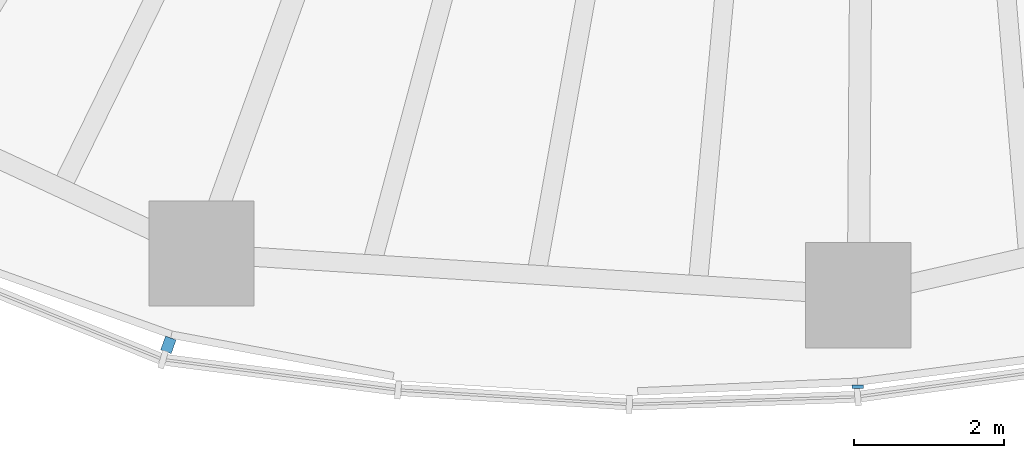
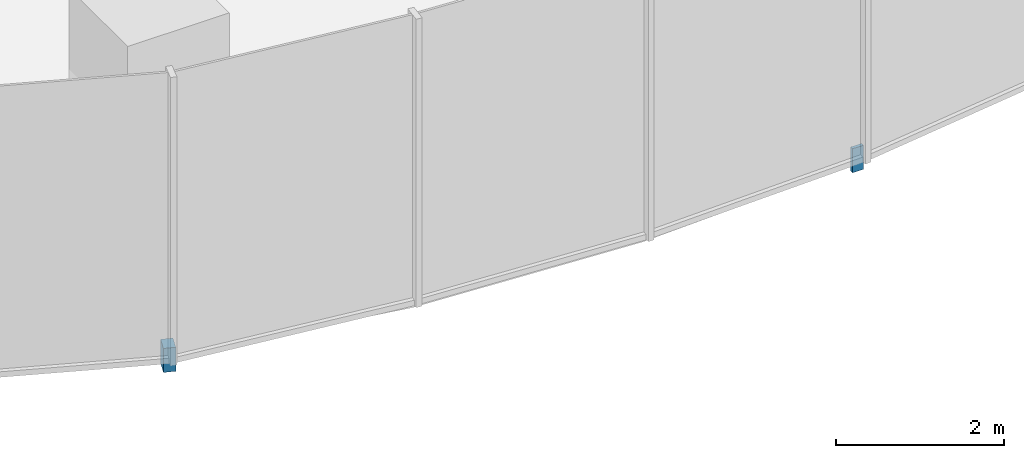
# One storey, part 12 of 18: 2 discrete accessories.
"""IFC4 building model written with IfcOpenShell, lengths in metres."""

from ifc_helpers import new_model, si_unit, direction, frame, origin, origin_2d, place, context, subcontext, project, spatial, rectangle, extrude, material, type_object, element, save


model = new_model("IFC4")

# Units and contexts
model_context = context("Model", 3, precision=1e-05, world=origin(), true_north=direction((0.0, 1.0)))
body_context = subcontext(model_context, "Body", "Model", "MODEL_VIEW")
ifc_project = project(units=[si_unit("LENGTHUNIT", "METRE"), si_unit("AREAUNIT", "SQUARE_METRE"), si_unit("VOLUMEUNIT", "CUBIC_METRE"), si_unit("PLANEANGLEUNIT", "RADIAN"), si_unit("MASSUNIT", "GRAM", prefix="KILO")], contexts=[model_context])

# Site, building, storey
site_placement = place(None, origin())
site = spatial("IfcSite", under=ifc_project, at=site_placement, CompositionType="ELEMENT")
building_placement = place(site_placement, origin())
building = spatial("IfcBuilding", under=site, at=building_placement, Name="Ghaith Harvest Tower", CompositionType="ELEMENT")
storey_placement = place(building_placement, frame((0.0, 0.0, 180.60009765625)))
storey = spatial("IfcBuildingStorey", under=building, at=storey_placement, Name="L39", CompositionType="ELEMENT", Elevation=180.60009765625)

# Discrete accessories
ifc_material_1 = material(Name="Stainless steel grade 1.4401", Category="steel")
discrete_accessory_type_1 = type_object("IfcDiscreteAccessoryType", Name="CURTAIN WALL BRACKET 195", PredefinedType="BRACKET", material=ifc_material_1)
discrete_accessory_1_placement = place(storey_placement, frame((-9.348388671875, -25.883544921875, -0.250244140625), z_axis=(0.0, 0.0, 1.0), x_axis=(-0.33969945263, -0.940534040789, 0.0)))
element("IfcDiscreteAccessory", 1, at=discrete_accessory_1_placement, inside=storey, type_object=discrete_accessory_type_1, Name="CW-L bracket 1 bay 15 L39", PredefinedType="BRACKET", context=body_context, shape_type="SweptSolid", body=[
    extrude(rectangle(XDim=0.195068359375, YDim=0.14990234375, at=origin_2d()), origin(), (0.0, 0.0, 1.0), 0.35009765625),
])
ifc_material_2 = material(Name="Stainless steel grade 1.4401", Category="steel")
discrete_accessory_type_2 = type_object("IfcDiscreteAccessoryType", Name="CURTAIN WALL BRACKET 45", PredefinedType="BRACKET", material=ifc_material_2)
discrete_accessory_2_placement = place(storey_placement, frame((-0.180908203125, -26.441162109375, -0.250244140625), z_axis=(0.0, 0.0, 1.0), x_axis=(-0.006843747957, -0.999976581283, 0.0)))
element("IfcDiscreteAccessory", 2, at=discrete_accessory_2_placement, inside=storey, type_object=discrete_accessory_type_2, Name="CW-L bracket 1 bay 16 L39", PredefinedType="BRACKET", context=body_context, shape_type="SweptSolid", body=[
    extrude(rectangle(XDim=0.044921875, YDim=0.14990234375, at=origin_2d()), origin(), (0.0, 0.0, 1.0), 0.35009765625),
])

save(model, "model.ifc")
